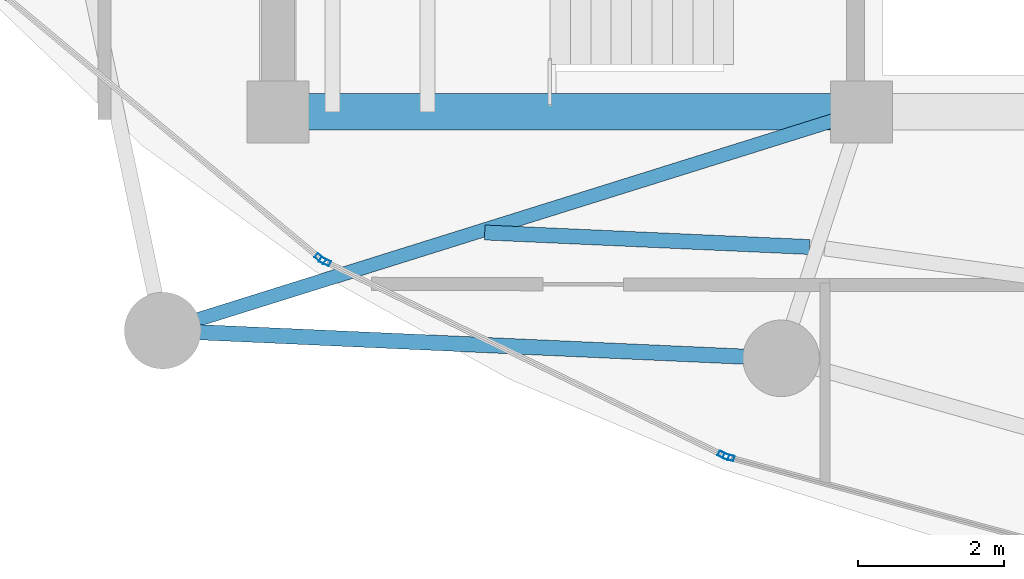
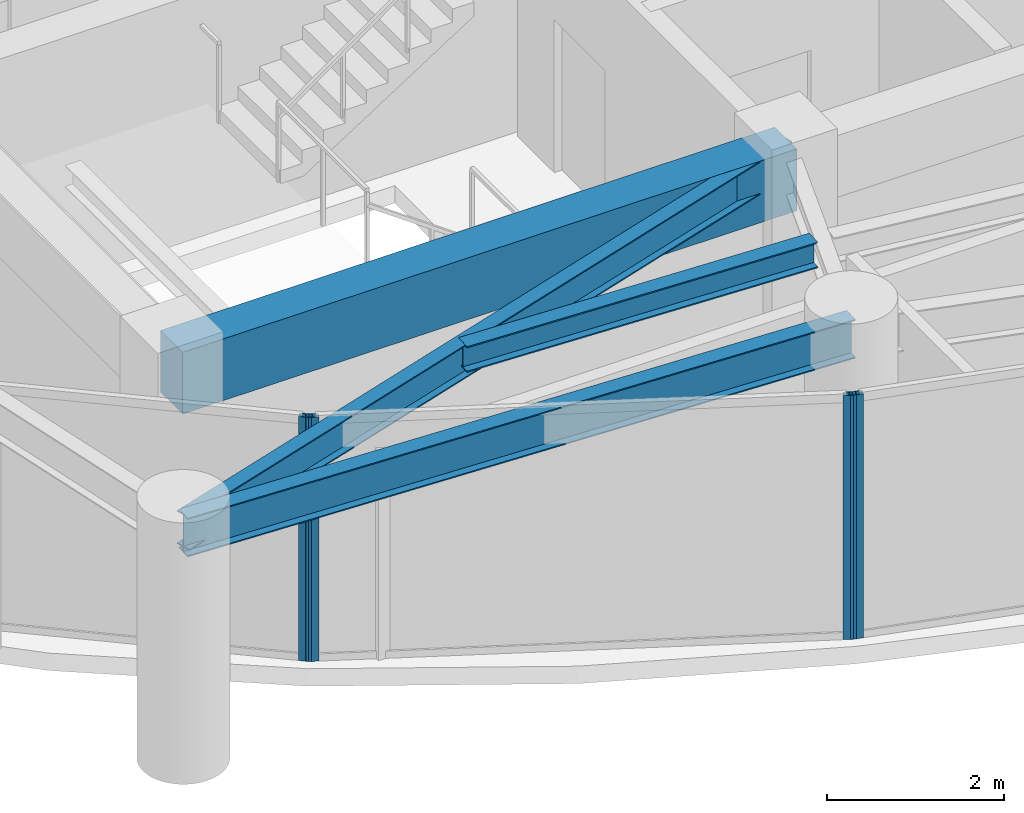
# One storey, part 2 of 31: 4 beams, 4 members, 3 elements without a shape of their own.
"""IFC4 building model written with IfcOpenShell, lengths in metres."""

from ifc_helpers import new_model, si_unit, direction, frame, origin, origin_2d, place, context, subcontext, project, spatial, rectangle, hollow_rectangle, i_section, extrude, material, layer, layer_set, material_profile, profile_set, type_object, element, aggregate, save


model = new_model("IFC4")

# Units and contexts
model_context = context("Model", 3, precision=1e-05, world=origin(), true_north=direction((0.0, 1.0)))
body_context = subcontext(model_context, "Body", "Model", "MODEL_VIEW")
ifc_project = project(units=[si_unit("LENGTHUNIT", "METRE"), si_unit("AREAUNIT", "SQUARE_METRE"), si_unit("VOLUMEUNIT", "CUBIC_METRE"), si_unit("PLANEANGLEUNIT", "RADIAN"), si_unit("MASSUNIT", "GRAM", prefix="KILO")], contexts=[model_context])

# Site, building, storey
site_placement = place(None, origin())
site = spatial("IfcSite", under=ifc_project, at=site_placement, CompositionType="ELEMENT")
building_placement = place(site_placement, origin())
building = spatial("IfcBuilding", under=site, at=building_placement, Name="Kazevale Care Tower and Concert Hall", CompositionType="ELEMENT")
storey_placement = place(building_placement, frame((0.0, 0.0, 210.0)))
storey = spatial("IfcBuildingStorey", under=building, at=storey_placement, Name="L55", CompositionType="ELEMENT", Elevation=210.0)

# Curtain wall, member
ifc_material_1 = material(Name="Aluminium 6063-T6 and Low-E Glass", Category="aluminium")
ifc_layer = layer(ifc_material_1, 0.179931640625)
ifc_layer_set = layer_set([ifc_layer], Name="Aluminium 6063-T6 and Low-E Glass")
curtain_wall_type = type_object("IfcCurtainWallType", Name="Sheltered Concave Balcony Curtain Wall CW-5", PredefinedType="NOTDEFINED", material=ifc_layer_set)
curtain_wall_1_placement = place(storey_placement, origin())
curtain_wall_1 = element("IfcCurtainWall", 1, at=curtain_wall_1_placement, inside=storey, type_object=curtain_wall_type, Name="cw:L55:f08", PredefinedType="NOTDEFINED")
ifc_material_2 = material(Name="Aluminium 6063-T6", Category="aluminium")
ifc_material_profile_1 = material_profile(ifc_material_2, hollow_rectangle(XDim=0.074951171875, YDim=0.14990234375, WallThickness=0.00390625, at=origin_2d()), Name="ALU75x150x4")
ifc_profile_set_1 = profile_set([ifc_material_profile_1], Name="Aluminium 6063-T6")
member_type = type_object("IfcMemberType", Name="CW-5 Mullion ALU75x150x4", PredefinedType="MULLION", material=ifc_profile_set_1)
member_1_placement = place(storey_placement, frame((28.18017578125, 18.863037109375, 0.0), z_axis=(0.0, 0.0, 1.0), x_axis=(-0.262848968947, -0.964836991167, 0.0)))
member_1 = element("IfcMember", 2, at=member_1_placement, type_object=member_type, Name="CW-5 mullion 2", PredefinedType="MULLION", context=body_context, shape_type="SweptSolid", body=[
    extrude(hollow_rectangle(XDim=0.074951171875, YDim=0.14990234375, WallThickness=0.00390625, at=origin_2d()), origin(), (0.0, 0.0, 1.0), 3.360107421875),
])
aggregate(curtain_wall_1, [member_1])

# Curtain wall, members
curtain_wall_2_placement = place(storey_placement, origin())
curtain_wall_2 = element("IfcCurtainWall", 3, at=curtain_wall_2_placement, inside=storey, type_object=curtain_wall_type, Name="cw:L55:f09", PredefinedType="NOTDEFINED")
member_2_placement = place(storey_placement, frame((28.1103515625, 18.889404296875, 0.0), z_axis=(0.0, 0.0, 1.0), x_axis=(-0.437238357087, -0.89934566163, 0.0)))
member_2 = element("IfcMember", 4, at=member_2_placement, type_object=member_type, Name="CW-5 mullion 1", PredefinedType="MULLION", context=body_context, shape_type="SweptSolid", body=[
    extrude(hollow_rectangle(XDim=0.074951171875, YDim=0.14990234375, WallThickness=0.00390625, at=origin_2d()), origin(), (0.0, 0.0, 1.0), 3.360107421875),
])
member_3_placement = place(storey_placement, frame((22.644775390625, 21.546630859375, 0.0), z_axis=(0.0, 0.0, 1.0), x_axis=(-0.437238357087, -0.89934566163, 0.0)))
member_3 = element("IfcMember", 5, at=member_3_placement, type_object=member_type, Name="CW-5 mullion 2", PredefinedType="MULLION", context=body_context, shape_type="SweptSolid", body=[
    extrude(hollow_rectangle(XDim=0.074951171875, YDim=0.14990234375, WallThickness=0.00390625, at=origin_2d()), origin(), (0.0, 0.0, 1.0), 3.360107421875),
])
aggregate(curtain_wall_2, [member_2, member_3])

# Curtain wall, member
curtain_wall_3_placement = place(storey_placement, origin())
curtain_wall_3 = element("IfcCurtainWall", 6, at=curtain_wall_3_placement, inside=storey, type_object=curtain_wall_type, Name="cw:L55:f10", PredefinedType="NOTDEFINED")
member_4_placement = place(storey_placement, frame((22.582275390625, 21.5869140625, 0.0), z_axis=(0.0, 0.0, 1.0), x_axis=(-0.639961217204, -0.768407210062, 0.0)))
member_4 = element("IfcMember", 7, at=member_4_placement, type_object=member_type, Name="CW-5 mullion 1", PredefinedType="MULLION", context=body_context, shape_type="SweptSolid", body=[
    extrude(hollow_rectangle(XDim=0.074951171875, YDim=0.14990234375, WallThickness=0.00390625, at=origin_2d()), origin(), (0.0, 0.0, 1.0), 3.360107421875),
])
aggregate(curtain_wall_3, [member_4])

# Beams
ifc_material_3 = material(Name="Concrete C60", Category="concrete")
ifc_material_profile_2 = material_profile(ifc_material_3, rectangle(XDim=0.5, YDim=0.85009765625, at=origin_2d()), Name="RC-B500x850")
ifc_profile_set_2 = profile_set([ifc_material_profile_2], Name="Concrete C60")
beam_type_1 = type_object("IfcBeamType", Name="Core Coupling Beam RC500x850", PredefinedType="LINTEL", material=ifc_profile_set_2)
beam_1_placement = place(storey_placement, frame((22.0, 23.60009765625, 2.93505859375), z_axis=(1.0, 0.0, 0.0), x_axis=(0.0, 1.0, 0.0)))
element("IfcBeam", 8, at=beam_1_placement, inside=storey, type_object=beam_type_1, Name="beam:L55:coretie:1", PredefinedType="LINTEL", context=body_context, shape_type="SweptSolid", body=[
    extrude(rectangle(XDim=0.5, YDim=0.85009765625, at=origin_2d()), origin(), (0.0, 0.0, 1.0), 8.0),
])
ifc_material_4 = material(Name="Steel ASTM A572 Gr 50", Category="steel")
ifc_material_profile_3 = material_profile(ifc_material_4, i_section(OverallWidth=0.19091796875, OverallDepth=0.4599609375, WebThickness=0.010009765625, FlangeThickness=0.01611328125, at=origin_2d()), Name="W460x82")
ifc_profile_set_3 = profile_set([ifc_material_profile_3], Name="Steel ASTM A572 Gr 50")
beam_type_2 = type_object("IfcBeamType", Name="Radial Floor Beam W460x82", PredefinedType="BEAM", material=ifc_profile_set_3)
beam_2_placement = place(storey_placement, frame((30.0, 23.60009765625, 3.1298828125), z_axis=(-0.954303255322, -0.298839918486, 0.0), x_axis=(0.298839918486, -0.954303255322, 0.0)))
element("IfcBeam", 9, at=beam_2_placement, inside=storey, type_object=beam_type_2, Name="beam:L55:rad:10", PredefinedType="BEAM", context=body_context, shape_type="SweptSolid", body=[
    extrude(i_section(OverallWidth=0.19091796875, OverallDepth=0.4599609375, WebThickness=0.010009765625, FlangeThickness=0.01611328125, at=origin_2d()), origin(), (0.0, 0.0, 1.0), 10.038818359375),
])
ifc_material_profile_4 = material_profile(ifc_material_4, i_section(OverallWidth=0.205078125, OverallDepth=0.35400390625, WebThickness=0.009521484375, FlangeThickness=0.016845703125, at=origin_2d()), Name="W360x79")
ifc_profile_set_4 = profile_set([ifc_material_profile_4], Name="Steel ASTM A572 Gr 50")
beam_type_3 = type_object("IfcBeamType", Name="Secondary Floor Joist W360x79", PredefinedType="JOIST", material=ifc_profile_set_4)
beam_3_placement = place(storey_placement, frame((24.8359375, 21.945068359375, 3.18310546875), z_axis=(0.999003687274, -0.044627713502, 0.0), x_axis=(0.044627713502, 0.999003687274, 0.0)))
element("IfcBeam", 10, at=beam_3_placement, inside=storey, type_object=beam_type_3, Name="beam:L55:joist:10", PredefinedType="JOIST", context=body_context, shape_type="SweptSolid", body=[
    extrude(i_section(OverallWidth=0.205078125, OverallDepth=0.35400390625, WebThickness=0.009521484375, FlangeThickness=0.016845703125, at=origin_2d()), origin(), (0.0, 0.0, 1.0), 4.45849609375),
])
ifc_material_profile_5 = material_profile(ifc_material_4, i_section(OverallWidth=0.208984375, OverallDepth=0.532958984375, WebThickness=0.01025390625, FlangeThickness=0.015625, at=origin_2d()), Name="W530x92")
ifc_profile_set_5 = profile_set([ifc_material_profile_5], Name="Steel ASTM A572 Gr 50")
beam_type_4 = type_object("IfcBeamType", Name="Upper Ring Beam W530x92", PredefinedType="BEAM", material=ifc_profile_set_5)
beam_4_placement = place(storey_placement, frame((20.419921875, 20.60009765625, 3.093505859375), z_axis=(0.998996808771, -0.044781425441, 0.0), x_axis=(0.044781425441, 0.998996808771, 0.0)))
element("IfcBeam", 11, at=beam_4_placement, inside=storey, type_object=beam_type_4, Name="beam:L55:ring:10", PredefinedType="BEAM", context=body_context, shape_type="SweptSolid", body=[
    extrude(i_section(OverallWidth=0.208984375, OverallDepth=0.532958984375, WebThickness=0.01025390625, FlangeThickness=0.015625, at=origin_2d()), origin(), (0.0, 0.0, 1.0), 8.488525390625),
])

save(model, "model.ifc")
